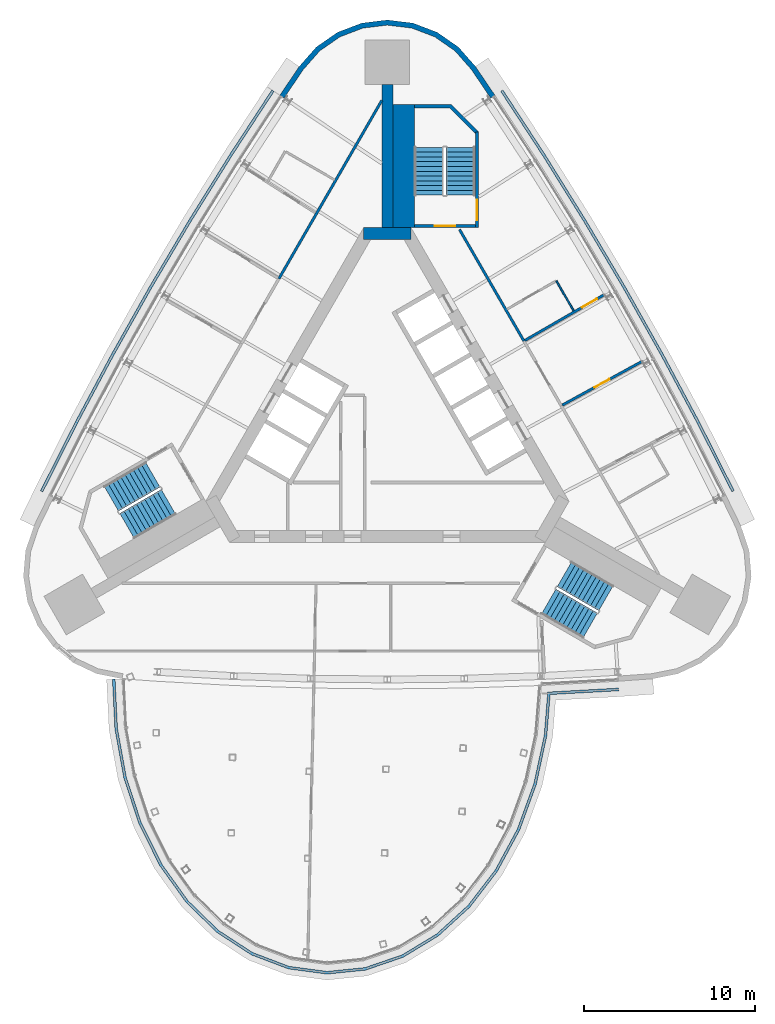
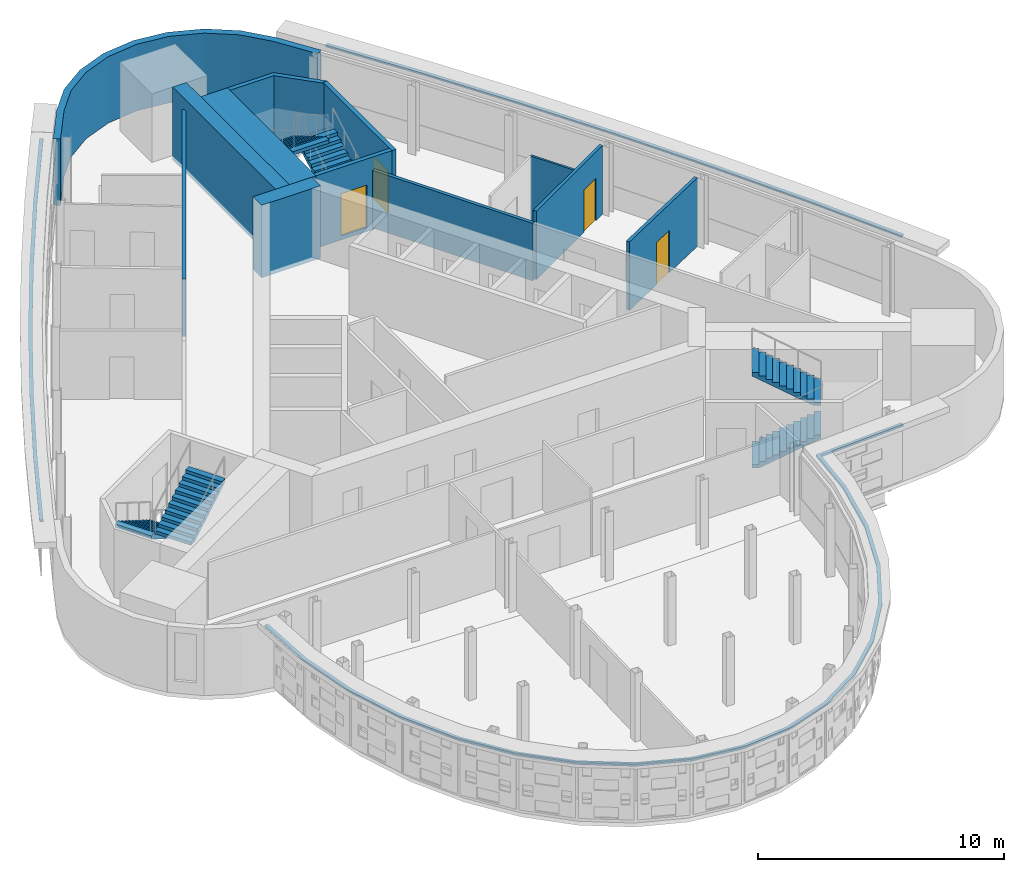
# One storey, part 11 of 14: 12 walls, 6 stair flights, 4 doors, 3 discrete accessories, 4 openings, 3 elements without a shape of their own.
"""IFC4 building model written with IfcOpenShell, lengths in metres."""

import ifcopenshell
import ifcopenshell.guid

model = None  # the IFC model being written
_history = None  # IfcOwnerHistory: only IFC2X3 demands one
_inside = {}  # id of a spatial element -> (the spatial element, [elements in it])
_under = {}  # id of a project, library or spatial element -> (it, [spatial elements below it])
_declared = {}  # id of a project -> (the project, [libraries it declares])
_typed = {}  # id of a type object -> (the type object, [elements of that type])
_made_of = {}  # id of a material, layer set ... -> (it, [elements and type objects made of it])


def new_model(schema):
    """Start an empty IFC model of exactly this schema.

    Asked for "IFC4X3", IfcOpenShell would pick the latest addendum, in which some entities
    have other attributes; the version numbers below select the first issue.
    IFC2X3 requires an IfcOwnerHistory on every rooted entity: one is made here for all.
    """
    global model, _history
    if schema == "IFC4X3":
        model = ifcopenshell.file(schema_version=(4, 3, 0, 0))
    else:
        model = ifcopenshell.file(schema=schema)
    _inside.clear()
    _under.clear()
    _declared.clear()
    _typed.clear()
    _made_of.clear()
    _history = None
    if model.schema == "IFC2X3":
        org = make("IfcOrganization", Name="unknown")
        user = make(
            "IfcPersonAndOrganization",
            ThePerson=make("IfcPerson", FamilyName="unknown"),
            TheOrganization=org,
        )
        app = make(
            "IfcApplication",
            ApplicationDeveloper=org,
            Version="unknown",
            ApplicationFullName="unknown",
            ApplicationIdentifier="unknown",
        )
        _history = make(
            "IfcOwnerHistory",
            OwningUser=user,
            OwningApplication=app,
            ChangeAction="ADDED",
            CreationDate=0,
        )
    return model


def make(cls, **values):
    """One entity of the class cls with the attributes given. An attribute that is None is left unset."""
    return model.create_entity(
        cls, **{name: value for name, value in values.items() if value is not None}
    )


def rooted(cls, **values):
    """An entity with a GlobalId (a new one), such as an element, a storey or a relation."""
    return make(cls, GlobalId=ifcopenshell.guid.new(), OwnerHistory=_history, **values)


def si_unit(unit_type, name, prefix=None):
    """IfcSIUnit, for example si_unit("LENGTHUNIT", "METRE", prefix="MILLI")."""
    return make("IfcSIUnit", UnitType=unit_type, Prefix=prefix, Name=name)


def assignment(units):
    """IfcUnitAssignment: the units of a project."""
    return None if units is None else make("IfcUnitAssignment", Units=units)


def point(xyz):
    """IfcCartesianPoint."""
    return None if xyz is None else make("IfcCartesianPoint", Coordinates=xyz)


def direction(xyz):
    """IfcDirection."""
    return None if xyz is None else make("IfcDirection", DirectionRatios=xyz)


def frame(location, z_axis=None, x_axis=None):
    """IfcAxis2Placement3D, a coordinate frame: its origin and axes. An axis left out is left unset."""
    return make(
        "IfcAxis2Placement3D",
        Location=point(location),
        Axis=direction(z_axis),
        RefDirection=direction(x_axis),
    )


def frame_2d(location, x_axis=None):
    """IfcAxis2Placement2D, a coordinate frame in the plane: its origin and x axis."""
    return make(
        "IfcAxis2Placement2D", Location=point(location), RefDirection=direction(x_axis)
    )


def origin():
    """The frame at (0, 0, 0) with its axes left unset."""
    return frame((0.0, 0.0, 0.0))


def place(relative_to, where):
    """IfcLocalPlacement: puts the frame where relative to a parent placement (None: the world)."""
    return make(
        "IfcLocalPlacement", PlacementRelTo=relative_to, RelativePlacement=where
    )


def context(
    kind, dimensions, precision=None, world=None, true_north=None, identifier=None
):
    """IfcGeometricRepresentationContext, for example the 3D "Model" context."""
    return make(
        "IfcGeometricRepresentationContext",
        ContextIdentifier=identifier,
        ContextType=kind,
        CoordinateSpaceDimension=dimensions,
        Precision=precision,
        WorldCoordinateSystem=world,
        TrueNorth=true_north,
    )


def subcontext(parent, identifier, kind, view, scale=None):
    """IfcGeometricRepresentationSubContext, for example "Body" below "Model"."""
    return make(
        "IfcGeometricRepresentationSubContext",
        ContextIdentifier=identifier,
        ContextType=kind,
        ParentContext=parent,
        TargetScale=scale,
        TargetView=view,
    )


def project(units=None, contexts=None):
    """IfcProject with its units and contexts."""
    return rooted(
        "IfcProject",
        Name="project",
        RepresentationContexts=contexts,
        UnitsInContext=assignment(units),
    )


def spatial(cls, under=None, at=None, **own):
    """A site, building, storey or space (cls), placed at a placement, below another one or the project."""
    s = rooted(cls, ObjectPlacement=at, **own)
    if under is not None:
        _under.setdefault(under.id(), (under, []))[1].append(s)
    return s


def polyline(points):
    """IfcPolyline through the points."""
    return make("IfcPolyline", Points=[point(p) for p in points])


def profile(cls, at=None, kind="AREA", **sizes):
    """A parametric profile (cls). Its sizes go by their IFC names, for example OverallWidth=200.0."""
    return make(cls, ProfileType=kind, Position=at, **sizes)


def rectangle(**sizes):
    """IfcRectangleProfileDef."""
    return profile("IfcRectangleProfileDef", **sizes)


def outline(outer, holes=None, kind="AREA"):
    """IfcArbitraryClosedProfileDef: a profile drawn as a closed curve; with holes, ...WithVoids."""
    if holes is None:
        return make("IfcArbitraryClosedProfileDef", ProfileType=kind, OuterCurve=outer)
    return make(
        "IfcArbitraryProfileDefWithVoids",
        ProfileType=kind,
        OuterCurve=outer,
        InnerCurves=holes,
    )


def extrude(swept, where, along, depth):
    """IfcExtrudedAreaSolid: the profile swept, set in the frame where, extruded along a direction by depth."""
    return make(
        "IfcExtrudedAreaSolid",
        SweptArea=swept,
        Position=where,
        ExtrudedDirection=direction(along),
        Depth=depth,
    )


def shape(context_of_items, identifier, shape_type, items):
    """IfcShapeRepresentation: the items that make up one representation, for example the "Body"."""
    return make(
        "IfcShapeRepresentation",
        ContextOfItems=context_of_items,
        RepresentationIdentifier=identifier,
        RepresentationType=shape_type,
        Items=items,
    )


def material(Name=None, Category=None):
    """IfcMaterial."""
    return make("IfcMaterial", Name=Name, Category=Category)


def layer(
    of_material, thickness, ventilated=None, Name=None, Category=None, Priority=None
):
    """IfcMaterialLayer: one layer of a wall or slab, of a material (None: an air gap)."""
    return make(
        "IfcMaterialLayer",
        Material=of_material,
        LayerThickness=thickness,
        IsVentilated=ventilated,
        Name=Name,
        Category=Category,
        Priority=Priority,
    )


def layer_set(layers, Name=None):
    """IfcMaterialLayerSet."""
    return make("IfcMaterialLayerSet", MaterialLayers=layers, LayerSetName=Name)


def made_of(thing, what):
    """Note that an element or type object is made of a material, layer set ...; save() writes the relation."""
    if what is not None:
        _made_of.setdefault(what.id(), (what, []))[1].append(thing)
    return thing


def type_object(cls, material=None, **own):
    """A type object (cls), such as IfcWallType, which elements share."""
    return made_of(rooted(cls, **own), material)


def element(
    cls,
    number,
    at=None,
    inside=None,
    cuts=None,
    type_object=None,
    material=None,
    context=None,
    identifier="Body",
    shape_type=None,
    held_by="IfcProductDefinitionShape",
    body=None,
    shapes=None,
    **own,
):
    """One element of the class cls, such as IfcWall. Its Tag is "e" and its number.

    at: its placement. inside: the storey or other place that contains it. cuts: it is an
    opening in that element (IfcRelVoidsElement). A single representation is given by context,
    identifier, shape_type and body (its items); several are given by shapes. held_by: the class
    of the entity that holds the representations. save() writes the other relations.
    """
    e = rooted(cls, Tag="e%d" % number, ObjectPlacement=at, **own)
    if body is not None:
        shapes = [shape(context, identifier, shape_type, body)]
    if shapes is not None:
        e.Representation = make(held_by, Representations=shapes)
    if inside is not None:
        _inside.setdefault(inside.id(), (inside, []))[1].append(e)
    if cuts is not None:
        rooted(
            "IfcRelVoidsElement", RelatingBuildingElement=cuts, RelatedOpeningElement=e
        )
    if type_object is not None:
        _typed.setdefault(type_object.id(), (type_object, []))[1].append(e)
    return made_of(e, material)


def fill(opening, filler):
    """IfcRelFillsElement: the door or window that sits in an opening."""
    return rooted(
        "IfcRelFillsElement",
        RelatingOpeningElement=opening,
        RelatedBuildingElement=filler,
    )


def aggregate(whole, parts):
    """IfcRelAggregates: a whole, such as a stair, and the parts it consists of."""
    return rooted("IfcRelAggregates", RelatingObject=whole, RelatedObjects=parts)


def save(model, path):
    """Write the relations noted so far, then the file.

    IfcRelAggregates (storeys below a building ...), IfcRelContainedInSpatialStructure (elements
    in a storey), IfcRelDefinesByType, IfcRelAssociatesMaterial and IfcRelDeclares: one each for
    every whole, place, type object, material and project.
    """
    for whole, parts in _under.values():
        aggregate(whole, parts)
    for where, things in _inside.values():
        rooted(
            "IfcRelContainedInSpatialStructure",
            RelatedElements=things,
            RelatingStructure=where,
        )
    for kind, things in _typed.values():
        rooted("IfcRelDefinesByType", RelatedObjects=things, RelatingType=kind)
    for what, things in _made_of.values():
        rooted("IfcRelAssociatesMaterial", RelatedObjects=things, RelatingMaterial=what)
    for by, libraries in _declared.values():
        rooted("IfcRelDeclares", RelatingContext=by, RelatedDefinitions=libraries)
    model.write(path)


model = new_model("IFC4")

# Units and contexts
model_context = context("Model", 3, precision=1e-05, world=origin(), true_north=direction((0.0, 1.0)))
body_context = subcontext(model_context, "Body", "Model", "MODEL_VIEW")
ifc_project = project(units=[si_unit("LENGTHUNIT", "METRE"), si_unit("AREAUNIT", "SQUARE_METRE"), si_unit("VOLUMEUNIT", "CUBIC_METRE"), si_unit("PLANEANGLEUNIT", "RADIAN"), si_unit("MASSUNIT", "GRAM", prefix="KILO")], contexts=[model_context])

# Site, building, storey
site_placement = place(None, origin())
site = spatial("IfcSite", under=ifc_project, at=site_placement, CompositionType="ELEMENT")
building_placement = place(site_placement, origin())
building = spatial("IfcBuilding", under=site, at=building_placement, Name="Noor Cloister Tower", CompositionType="ELEMENT")
storey_placement = place(building_placement, frame((0.0, 0.0, 214.800048828125)))
storey = spatial("IfcBuildingStorey", under=building, at=storey_placement, Name="L55", CompositionType="ELEMENT", Elevation=214.800048828125)

# Walls
ifc_material_1 = material(Name="Concrete C60/75", Category="concrete")
ifc_layer_1 = layer(ifc_material_1, 0.64990234375)
ifc_layer_set_1 = layer_set([ifc_layer_1], Name="Buttress wall 650 C60/75")
wall_type_1 = type_object("IfcWallType", Name="Buttress wall 650 C60/75", PredefinedType="SHEAR", material=ifc_layer_set_1)
wall_1_placement = place(storey_placement, frame((0.0, 11.456298828125, -0.199951171875), z_axis=(0.0, 0.0, 1.0), x_axis=(0.0, 1.0, 0.0)))
element("IfcWall", 1, at=wall_1_placement, inside=storey, type_object=wall_type_1, Name="Buttress wall N L55", PredefinedType="SHEAR", context=body_context, shape_type="SweptSolid", body=[
    extrude(rectangle(XDim=8.358642578125, YDim=0.64990234375, at=frame_2d((4.17919921875, 0.0))), origin(), (0.0, 0.0, 1.0), 3.599853515625),
])
ifc_material_2 = material(Name="Concrete C60/75", Category="concrete")
ifc_layer_2 = layer(ifc_material_2, 0.699951171875)
ifc_layer_set_2 = layer_set([ifc_layer_2], Name="Core wall 700 C60/75")
wall_type_2 = type_object("IfcWallType", Name="Core wall 700 C60/75", PredefinedType="SHEAR", material=ifc_layer_set_2)
wall_2_placement = place(storey_placement, frame((1.3857421875, 11.1064453125, -0.199951171875), z_axis=(0.0, 0.0, 1.0), x_axis=(-1.0, 0.0, 0.0)))
element("IfcWall", 2, at=wall_2_placement, inside=storey, type_object=wall_type_2, Name="Core wall L55 4", PredefinedType="SHEAR", context=body_context, shape_type="SweptSolid", body=[
    extrude(rectangle(XDim=2.771484375, YDim=0.699951171875, at=frame_2d((1.3857421875, 0.0))), origin(), (0.0, 0.0, 1.0), 3.599853515625),
])
ifc_material_3 = material(Name="Fire-rated gypsum board partition on steel studs, 150 mm", Category="steel")
ifc_layer_3 = layer(ifc_material_3, 0.14990234375)
ifc_layer_set_3 = layer_set([ifc_layer_3], Name="Fire lobby wall 150")
wall_type_3 = type_object("IfcWallType", Name="Fire lobby wall 150", PredefinedType="PARTITIONING", material=ifc_layer_set_3)
wall_3_placement = place(storey_placement, frame((-0.324951171875, 18.8935546875, 0.0), z_axis=(0.0, 0.0, 1.0), x_axis=(-0.50000126085, -0.866024675831, 0.0)))
element("IfcWall", 3, at=wall_3_placement, inside=storey, type_object=wall_type_3, Name="Wall L55-W18", PredefinedType="PARTITIONING", context=body_context, shape_type="SweptSolid", body=[
    extrude(rectangle(XDim=12.02685546875, YDim=0.14990234375, at=frame_2d((6.013427734375, 0.0))), origin(), (0.0, 0.0, 1.0), 2.85205078125),
])
ifc_material_4 = material(Name="Gypsum board partition on steel studs, 150 mm", Category="steel")
ifc_layer_4 = layer(ifc_material_4, 0.14990234375)
ifc_layer_set_4 = layer_set([ifc_layer_4], Name="Flat wall 150")
wall_type_4 = type_object("IfcWallType", Name="Flat wall 150", PredefinedType="PARTITIONING", material=ifc_layer_set_4)
wall_4_placement = place(storey_placement, frame((7.978515625, 4.83740234375, 0.0), z_axis=(0.0, 0.0, 1.0), x_axis=(-0.500014427086, 0.866017074142, 0.0)))
element("IfcWall", 4, at=wall_4_placement, inside=storey, type_object=wall_type_4, Name="Wall L55-W02", PredefinedType="PARTITIONING", context=body_context, shape_type="SweptSolid", body=[
    extrude(rectangle(XDim=7.527587890625, YDim=0.14990234375, at=frame_2d((3.763671875, 0.0))), origin(), (0.0, 0.0, 1.0), 2.85205078125),
])

# Wall, opening, door
wall_5_placement = place(storey_placement, frame((14.909912109375, 3.661376953125, 0.0), z_axis=(0.0, 0.0, 1.0), x_axis=(-0.87687518663, -0.480718116023, 0.0)))
wall_5 = element("IfcWall", 5, at=wall_5_placement, inside=storey, type_object=wall_type_4, Name="Wall L55-W03", PredefinedType="PARTITIONING", context=body_context, shape_type="SweptSolid", body=[
    extrude(rectangle(XDim=5.34130859375, YDim=0.14990234375, at=frame_2d((2.670654296875, 0.0))), origin(), (0.0, 0.0, 1.0), 3.39990234375),
])
opening_1_placement = place(wall_5_placement, frame((2.2080078125, 0.0, 0.0)))
opening_1 = element("IfcOpeningElement", 6, at=opening_1_placement, cuts=wall_5, Name="Opening L55-004", PredefinedType="OPENING", context=body_context, shape_type="SweptSolid", body=[
    extrude(rectangle(XDim=1.0, YDim=2.10009765625, at=frame_2d((0.5, 1.050048828125))), frame((0.0, 0.0849609375, 0.0), z_axis=(0.0, -1.0, 0.0), x_axis=(1.0, 0.0, 0.0)), (0.0, 0.0, 1.0), 0.169921875),
])
ifc_material_5 = material(Name="Timber door leaf with steel frame", Category="steel")
door_type_1 = type_object("IfcDoorType", Name="Flat entrance door 1000", OperationType="NOTDEFINED", PredefinedType="DOOR", material=ifc_material_5)
door_1_placement = place(opening_1_placement, origin())
door_1 = element("IfcDoor", 7, at=door_1_placement, inside=storey, type_object=door_type_1, Name="Door L55-004", OperationType="SINGLE_SWING_RIGHT", OverallHeight=2.10009765625, OverallWidth=1.0, PredefinedType="DOOR", context=body_context, shape_type="SweptSolid", body=[
    extrude(rectangle(XDim=1.0, YDim=2.10009765625, at=frame_2d((0.5, 1.050048828125))), frame((0.0, 0.02490234375, 0.0), z_axis=(0.0, -1.0, 0.0), x_axis=(1.0, 0.0, 0.0)), (0.0, 0.0, 1.0), 0.050048828125),
])
fill(opening_1, door_1)

wall_6_placement = place(storey_placement, frame((12.70703125, 7.5673828125, 0.0), z_axis=(0.0, 0.0, 1.0), x_axis=(-0.866016468327, -0.500015476347, 0.0)))
wall_6 = element("IfcWall", 8, at=wall_6_placement, inside=storey, type_object=wall_type_4, Name="Wall L55-W04", PredefinedType="PARTITIONING", context=body_context, shape_type="SweptSolid", body=[
    extrude(rectangle(XDim=5.385009765625, YDim=0.14990234375, at=frame_2d((2.6923828125, 0.0))), origin(), (0.0, 0.0, 1.0), 3.39990234375),
])
opening_2_placement = place(wall_6_placement, frame((0.530029296875, 0.0, 0.0)))
opening_2 = element("IfcOpeningElement", 9, at=opening_2_placement, cuts=wall_6, Name="Opening L55-006", PredefinedType="OPENING", context=body_context, shape_type="SweptSolid", body=[
    extrude(rectangle(XDim=1.0, YDim=2.10009765625, at=frame_2d((0.5, 1.050048828125))), frame((0.0, 0.0849609375, 0.0), z_axis=(0.0, -1.0, 0.0), x_axis=(1.0, 0.0, 0.0)), (0.0, 0.0, 1.0), 0.169921875),
])
door_2_placement = place(opening_2_placement, origin())
door_2 = element("IfcDoor", 10, at=door_2_placement, inside=storey, type_object=door_type_1, Name="Door L55-006", OperationType="SINGLE_SWING_RIGHT", OverallHeight=2.10009765625, OverallWidth=1.0, PredefinedType="DOOR", context=body_context, shape_type="SweptSolid", body=[
    extrude(rectangle(XDim=1.0, YDim=2.10009765625, at=frame_2d((0.5, 1.050048828125))), frame((0.0, 0.02490234375, 0.0), z_axis=(0.0, -1.0, 0.0), x_axis=(1.0, 0.0, 0.0)), (0.0, 0.0, 1.0), 0.050048828125),
])
fill(opening_2, door_2)

# Walls
ifc_material_6 = material(Name="Limestone", Category="masonry")
ifc_layer_5 = layer(ifc_material_6, 0.300048828125)
ifc_layer_set_5 = layer_set([ifc_layer_5], Name="Limestone cladding 300")
wall_type_5 = type_object("IfcWallType", Name="Limestone cladding 300", PredefinedType="NOTDEFINED", material=ifc_layer_set_5)
wall_7_placement = place(storey_placement, origin())
element("IfcWall", 11, at=wall_7_placement, inside=storey, type_object=wall_type_5, Name="Limestone pier cladding L55 3.1", PredefinedType="NOTDEFINED", context=body_context, shape_type="SweptSolid", body=[
    extrude(outline(polyline([(6.2822265625, 19.2041015625), (5.148681640625, 20.87890625), (4.1513671875, 22.012939453125), (2.91064453125, 22.874267578125), (1.499267578125, 23.412109375), (0.0, 23.5947265625), (-1.499267578125, 23.412109375), (-2.91064453125, 22.874267578125), (-4.1513671875, 22.012939453125), (-5.148681640625, 20.87890625), (-6.2822265625, 19.2041015625), (-6.03369140625, 19.035888671875), (-4.910888671875, 20.69482421875), (-3.9501953125, 21.787353515625), (-2.76953125, 22.60693359375), (-1.426513671875, 23.11865234375), (0.0, 23.292724609375), (1.426513671875, 23.11865234375), (2.76953125, 22.60693359375), (3.9501953125, 21.787353515625), (4.910888671875, 20.69482421875), (6.03369140625, 19.035888671875), (6.2822265625, 19.2041015625)])), origin(), (0.0, 0.0, 1.0), 3.300048828125),
])
ifc_material_7 = material(Name="Gypsum board partition on steel studs, 100 mm", Category="steel")
ifc_layer_6 = layer(ifc_material_7, 0.10009765625)
ifc_layer_set_6 = layer_set([ifc_layer_6], Name="Partition 100")
wall_type_6 = type_object("IfcWallType", Name="Partition 100", PredefinedType="PARTITIONING", material=ifc_layer_set_6)
wall_8_placement = place(storey_placement, frame((10.885498046875, 6.602294921875, 0.0), z_axis=(0.0, 0.0, 1.0), x_axis=(-0.499990325971, 0.866030989016, 0.0)))
element("IfcWall", 12, at=wall_8_placement, inside=storey, type_object=wall_type_6, Name="Wall L55-W09", PredefinedType="PARTITIONING", context=body_context, shape_type="SweptSolid", body=[
    extrude(rectangle(XDim=2.02490234375, YDim=0.10009765625, at=frame_2d((1.012451171875, 0.0))), origin(), (0.0, 0.0, 1.0), 3.39990234375),
])
ifc_material_8 = material(Name="Concrete C60/75", Category="concrete")
ifc_layer_7 = layer(ifc_material_8, 1.260986328125)
ifc_layer_set_7 = layer_set([ifc_layer_7], Name="Stair enclosure wall 1261 C60/75")
wall_type_7 = type_object("IfcWallType", Name="Stair enclosure wall 1261 C60/75", PredefinedType="SHEAR", material=ifc_layer_set_7)
wall_9_placement = place(storey_placement, frame((0.955322265625, 11.456298828125, -0.199951171875), z_axis=(0.0, 0.0, 1.0), x_axis=(0.0, 1.0, 0.0)))
element("IfcWall", 13, at=wall_9_placement, inside=storey, type_object=wall_type_7, Name="Stair enclosure wall ST1 L55 riser side", PredefinedType="SHEAR", context=body_context, shape_type="SweptSolid", body=[
    extrude(rectangle(XDim=7.2001953125, YDim=1.2607421875, at=frame_2d((3.60009765625, 0.0))), origin(), (0.0, 0.0, 1.0), 3.599853515625),
])

# Wall, opening, door
ifc_material_9 = material(Name="Concrete C60/75", Category="concrete")
ifc_layer_8 = layer(ifc_material_9, 0.199951171875)
ifc_layer_set_8 = layer_set([ifc_layer_8], Name="Stair enclosure wall 200 C60/75")
wall_type_8 = type_object("IfcWallType", Name="Stair enclosure wall 200 C60/75", PredefinedType="SHEAR", material=ifc_layer_set_8)
wall_10_placement = place(storey_placement, frame((5.135498046875, 11.556396484375, -0.199951171875), z_axis=(0.0, 0.0, 1.0), x_axis=(-1.0, 0.0, 0.0)))
wall_10 = element("IfcWall", 14, at=wall_10_placement, inside=storey, type_object=wall_type_8, Name="Stair enclosure wall ST1 L55 near end", PredefinedType="SHEAR", context=body_context, shape_type="SweptSolid", body=[
    extrude(rectangle(XDim=3.5498046875, YDim=0.199951171875, at=frame_2d((1.77490234375, 0.0))), origin(), (0.0, 0.0, 1.0), 3.599853515625),
])
opening_3_placement = place(wall_10_placement, frame((1.175048828125, 0.0, 0.199951171875)))
opening_3 = element("IfcOpeningElement", 15, at=opening_3_placement, cuts=wall_10, Name="Opening L55-ST1L", PredefinedType="OPENING", context=body_context, shape_type="SweptSolid", body=[
    extrude(rectangle(XDim=1.199951171875, YDim=2.10009765625, at=frame_2d((0.60009765625, 1.050048828125))), frame((0.0, 0.10986328125, 0.0), z_axis=(0.0, -1.0, 0.0), x_axis=(1.0, 0.0, 0.0)), (0.0, 0.0, 1.0), 0.219970703125),
])
ifc_material_10 = material(Name="Steel", Category="steel")
door_type_2 = type_object("IfcDoorType", Name="Stair door 1200 x 2100 FD120", OperationType="SINGLE_SWING_LEFT", PredefinedType="DOOR", material=ifc_material_10)
door_3_placement = place(opening_3_placement, origin())
door_3 = element("IfcDoor", 16, at=door_3_placement, inside=storey, type_object=door_type_2, Name="Stair door ST1 L55", OperationType="SINGLE_SWING_RIGHT", OverallHeight=2.10009765625, OverallWidth=1.199951171875, PredefinedType="DOOR", context=body_context, shape_type="SweptSolid", body=[
    extrude(rectangle(XDim=1.199951171875, YDim=2.10009765625, at=frame_2d((0.60009765625, 1.050048828125))), frame((0.0, 0.02490234375, 0.0), z_axis=(0.0, -1.0, 0.0), x_axis=(1.0, 0.0, 0.0)), (0.0, 0.0, 1.0), 0.050048828125),
])
fill(opening_3, door_3)

wall_11_placement = place(storey_placement, frame((5.235595703125, 11.456298828125, -0.199951171875), z_axis=(0.0, 0.0, 1.0), x_axis=(0.0, 1.0, 0.0)))
wall_11 = element("IfcWall", 17, at=wall_11_placement, inside=storey, type_object=wall_type_8, Name="Stair enclosure wall ST1 L55 outer side", PredefinedType="SHEAR", context=body_context, shape_type="SweptSolid", body=[
    extrude(rectangle(XDim=5.60009765625, YDim=0.199951171875, at=frame_2d((2.800048828125, 0.0))), origin(), (0.0, 0.0, 1.0), 3.599853515625),
])
opening_4_placement = place(wall_11_placement, frame((0.449951171875, 0.0, 0.199951171875)))
opening_4 = element("IfcOpeningElement", 18, at=opening_4_placement, cuts=wall_11, Name="Opening L55-ST1C", PredefinedType="OPENING", context=body_context, shape_type="SweptSolid", body=[
    extrude(rectangle(XDim=1.199951171875, YDim=2.10009765625, at=frame_2d((0.60009765625, 1.050048828125))), frame((0.0, 0.10986328125, 0.0), z_axis=(0.0, -1.0, 0.0), x_axis=(1.0, 0.0, 0.0)), (0.0, 0.0, 1.0), 0.219970703125),
])
door_4_placement = place(opening_4_placement, origin())
door_4 = element("IfcDoor", 19, at=door_4_placement, inside=storey, type_object=door_type_2, Name="Stair door ST1 L55", OperationType="SINGLE_SWING_LEFT", OverallHeight=2.10009765625, OverallWidth=1.199951171875, PredefinedType="DOOR", context=body_context, shape_type="SweptSolid", body=[
    extrude(rectangle(XDim=1.199951171875, YDim=2.10009765625, at=frame_2d((0.60009765625, 1.050048828125))), frame((0.0, 0.02490234375, 0.0), z_axis=(0.0, -1.0, 0.0), x_axis=(1.0, 0.0, 0.0)), (0.0, 0.0, 1.0), 0.050048828125),
])
fill(opening_4, door_4)

# Wall
ifc_material_11 = material(Name="Concrete C60/75", Category="concrete")
wall_type_9 = type_object("IfcWallType", Name="Stair far end wall C60/75", PredefinedType="SHEAR", material=ifc_material_11)
wall_12_placement = place(storey_placement, frame((0.0, 0.0, -0.199951171875)))
element("IfcWall", 20, at=wall_12_placement, inside=storey, type_object=wall_type_9, Name="Stair enclosure wall ST1 L55 far end", PredefinedType="SHEAR", context=body_context, shape_type="SweptSolid", body=[
    extrude(outline(polyline([(5.335693359375, 17.056396484375), (3.735595703125, 18.656494140625), (1.585693359375, 18.656494140625), (1.585693359375, 18.456298828125), (3.65283203125, 18.456298828125), (5.135498046875, 16.9736328125), (5.135498046875, 17.056396484375), (5.135498046875, 17.056396484375), (5.135498046875, 17.056396484375), (5.135498046875, 17.056396484375), (5.135498046875, 17.056396484375), (5.135498046875, 17.056396484375), (5.135498046875, 17.056396484375), (5.135498046875, 17.056396484375), (5.135498046875, 17.056396484375), (5.135498046875, 17.056396484375), (5.135498046875, 17.056396484375), (5.135498046875, 17.056396484375), (5.135498046875, 17.056396484375), (5.135498046875, 17.056396484375), (5.135498046875, 17.056396484375), (5.135498046875, 17.056396484375), (5.135498046875, 17.056396484375), (5.335693359375, 17.056396484375)])), origin(), (0.0, 0.0, 1.0), 3.599853515625),
])

# Stair, stair flights
ifc_material_12 = material(Name="Concrete C40/50", Category="concrete")
stair_type = type_object("IfcStairType", Name="Exit stair 22 risers", PredefinedType="HALF_TURN_STAIR", material=ifc_material_12)
stair_1_placement = place(storey_placement, origin())
stair_1 = element("IfcStair", 21, at=stair_1_placement, inside=storey, type_object=stair_type, Name="Exit stair ST1 L55", PredefinedType="HALF_TURN_STAIR")
ifc_material_13 = material(Name="Concrete C40/50", Category="concrete")
stair_flight_type = type_object("IfcStairFlightType", Name="Exit stair flight", PredefinedType="STRAIGHT", material=ifc_material_13)
stair_flight_1_placement = place(storey_placement, frame((4.28564453125, 13.3564453125, 0.0), z_axis=(0.0, 0.0, 1.0), x_axis=(0.0, 1.0, 0.0)))
stair_flight_1 = element("IfcStairFlight", 22, at=stair_flight_1_placement, type_object=stair_flight_type, Name="ST1 flight 1", NumberOfRisers=11, NumberOfTreads=10, PredefinedType="STRAIGHT", RiserHeight=0.163636364, TreadLength=0.28, context=body_context, shape_type="SweptSolid", body=[
    extrude(outline(polyline([(0.0, 0.0), (0.0, 0.16357421875), (0.280029296875, 0.16357421875), (0.280029296875, 0.327392578125), (0.56005859375, 0.327392578125), (0.56005859375, 0.490966796875), (0.840087890625, 0.490966796875), (0.840087890625, 0.654541015625), (1.1201171875, 0.654541015625), (1.1201171875, 0.818115234375), (1.39990234375, 0.818115234375), (1.39990234375, 0.98193359375), (1.679931640625, 0.98193359375), (1.679931640625, 1.1455078125), (1.9599609375, 1.1455078125), (1.9599609375, 1.30908203125), (2.239990234375, 1.30908203125), (2.239990234375, 1.47265625), (2.52001953125, 1.47265625), (2.52001953125, 1.636474609375), (2.800048828125, 1.636474609375), (2.800048828125, 1.800048828125), (2.800048828125, 1.462646484375), (0.297119140625, 0.0), (0.0, 0.0)])), frame((0.0, 0.85009765625, 0.0), z_axis=(0.0, -1.0, 0.0), x_axis=(1.0, 0.0, 0.0)), (0.0, 0.0, 1.0), 1.699951171875),
])
stair_flight_2_placement = place(storey_placement, frame((2.435546875, 16.156494140625, 1.800048828125), z_axis=(0.0, 0.0, 1.0), x_axis=(0.0, -1.0, 0.0)))
stair_flight_2 = element("IfcStairFlight", 23, at=stair_flight_2_placement, type_object=stair_flight_type, Name="ST1 flight 2", NumberOfRisers=11, NumberOfTreads=10, PredefinedType="STRAIGHT", RiserHeight=0.163636364, TreadLength=0.28, context=body_context, shape_type="SweptSolid", body=[
    extrude(outline(polyline([(0.0, 0.0), (0.0, 0.16357421875), (0.280029296875, 0.16357421875), (0.280029296875, 0.327392578125), (0.56005859375, 0.327392578125), (0.56005859375, 0.490966796875), (0.840087890625, 0.490966796875), (0.840087890625, 0.654541015625), (1.1201171875, 0.654541015625), (1.1201171875, 0.818115234375), (1.39990234375, 0.818115234375), (1.39990234375, 0.98193359375), (1.679931640625, 0.98193359375), (1.679931640625, 1.1455078125), (1.9599609375, 1.1455078125), (1.9599609375, 1.30908203125), (2.239990234375, 1.30908203125), (2.239990234375, 1.47265625), (2.52001953125, 1.47265625), (2.52001953125, 1.636474609375), (2.800048828125, 1.636474609375), (2.800048828125, 1.800048828125), (2.800048828125, 1.462646484375), (0.297119140625, 0.0), (0.0, 0.0)])), frame((0.0, 0.85009765625, 0.0), z_axis=(0.0, -1.0, 0.0), x_axis=(1.0, 0.0, 0.0)), (0.0, 0.0, 1.0), 1.699951171875),
])
aggregate(stair_1, [stair_flight_1, stair_flight_2])

stair_2_placement = place(storey_placement, origin())
stair_2 = element("IfcStair", 24, at=stair_2_placement, inside=storey, type_object=stair_type, Name="Exit stair ST2 L55", PredefinedType="HALF_TURN_STAIR")
stair_flight_3_placement = place(storey_placement, frame((-13.709716796875, -2.966796875, 0.0), z_axis=(0.0, 0.0, 1.0), x_axis=(-0.866025403784, -0.5, 0.0)))
stair_flight_3 = element("IfcStairFlight", 25, at=stair_flight_3_placement, type_object=stair_flight_type, Name="ST2 flight 1", NumberOfRisers=11, NumberOfTreads=10, PredefinedType="STRAIGHT", RiserHeight=0.163636364, TreadLength=0.28, context=body_context, shape_type="SweptSolid", body=[
    extrude(outline(polyline([(0.0, 0.0), (0.0, 0.16357421875), (0.280029296875, 0.16357421875), (0.280029296875, 0.327392578125), (0.56005859375, 0.327392578125), (0.56005859375, 0.490966796875), (0.840087890625, 0.490966796875), (0.840087890625, 0.654541015625), (1.1201171875, 0.654541015625), (1.1201171875, 0.818115234375), (1.39990234375, 0.818115234375), (1.39990234375, 0.98193359375), (1.679931640625, 0.98193359375), (1.679931640625, 1.1455078125), (1.9599609375, 1.1455078125), (1.9599609375, 1.30908203125), (2.239990234375, 1.30908203125), (2.239990234375, 1.47265625), (2.52001953125, 1.47265625), (2.52001953125, 1.636474609375), (2.800048828125, 1.636474609375), (2.800048828125, 1.800048828125), (2.800048828125, 1.462646484375), (0.297119140625, 0.0), (0.0, 0.0)])), frame((0.0, 0.85009765625, 0.0), z_axis=(0.0, -1.0, 0.0), x_axis=(1.0, 0.0, 0.0)), (0.0, 0.0, 1.0), 1.699951171875),
])
stair_flight_4_placement = place(storey_placement, frame((-15.209716796875, -5.968994140625, 1.800048828125), z_axis=(0.0, 0.0, 1.0), x_axis=(0.866025403784, 0.5, 0.0)))
stair_flight_4 = element("IfcStairFlight", 26, at=stair_flight_4_placement, type_object=stair_flight_type, Name="ST2 flight 2", NumberOfRisers=11, NumberOfTreads=10, PredefinedType="STRAIGHT", RiserHeight=0.163636364, TreadLength=0.28, context=body_context, shape_type="SweptSolid", body=[
    extrude(outline(polyline([(0.0, 0.0), (0.0, 0.16357421875), (0.280029296875, 0.16357421875), (0.280029296875, 0.327392578125), (0.56005859375, 0.327392578125), (0.56005859375, 0.490966796875), (0.840087890625, 0.490966796875), (0.840087890625, 0.654541015625), (1.1201171875, 0.654541015625), (1.1201171875, 0.818115234375), (1.39990234375, 0.818115234375), (1.39990234375, 0.98193359375), (1.679931640625, 0.98193359375), (1.679931640625, 1.1455078125), (1.9599609375, 1.1455078125), (1.9599609375, 1.30908203125), (2.239990234375, 1.30908203125), (2.239990234375, 1.47265625), (2.52001953125, 1.47265625), (2.52001953125, 1.636474609375), (2.800048828125, 1.636474609375), (2.800048828125, 1.800048828125), (2.800048828125, 1.462646484375), (0.297119140625, 0.0), (0.0, 0.0)])), frame((0.0, 0.85009765625, 0.0), z_axis=(0.0, -1.0, 0.0), x_axis=(1.0, 0.0, 0.0)), (0.0, 0.0, 1.0), 1.699951171875),
])
aggregate(stair_2, [stair_flight_3, stair_flight_4])

stair_3_placement = place(storey_placement, origin())
stair_3 = element("IfcStair", 27, at=stair_3_placement, inside=storey, type_object=stair_type, Name="Exit stair ST3 L55", PredefinedType="HALF_TURN_STAIR")
stair_flight_5_placement = place(storey_placement, frame((9.424072265625, -10.3896484375, 0.0), z_axis=(0.0, 0.0, 1.0), x_axis=(0.866025403784, -0.5, 0.0)))
stair_flight_5 = element("IfcStairFlight", 28, at=stair_flight_5_placement, type_object=stair_flight_type, Name="ST3 flight 1", NumberOfRisers=11, NumberOfTreads=10, PredefinedType="STRAIGHT", RiserHeight=0.163636364, TreadLength=0.28, context=body_context, shape_type="SweptSolid", body=[
    extrude(outline(polyline([(0.0, 0.0), (0.0, 0.16357421875), (0.280029296875, 0.16357421875), (0.280029296875, 0.327392578125), (0.56005859375, 0.327392578125), (0.56005859375, 0.490966796875), (0.840087890625, 0.490966796875), (0.840087890625, 0.654541015625), (1.1201171875, 0.654541015625), (1.1201171875, 0.818115234375), (1.39990234375, 0.818115234375), (1.39990234375, 0.98193359375), (1.679931640625, 0.98193359375), (1.679931640625, 1.1455078125), (1.9599609375, 1.1455078125), (1.9599609375, 1.30908203125), (2.239990234375, 1.30908203125), (2.239990234375, 1.47265625), (2.52001953125, 1.47265625), (2.52001953125, 1.636474609375), (2.800048828125, 1.636474609375), (2.800048828125, 1.800048828125), (2.800048828125, 1.462646484375), (0.297119140625, 0.0), (0.0, 0.0)])), frame((0.0, 0.85009765625, 0.0), z_axis=(0.0, -1.0, 0.0), x_axis=(1.0, 0.0, 0.0)), (0.0, 0.0, 1.0), 1.699951171875),
])
stair_flight_6_placement = place(storey_placement, frame((12.77392578125, -10.1875, 1.800048828125), z_axis=(0.0, 0.0, 1.0), x_axis=(-0.866025403784, 0.5, 0.0)))
stair_flight_6 = element("IfcStairFlight", 29, at=stair_flight_6_placement, type_object=stair_flight_type, Name="ST3 flight 2", NumberOfRisers=11, NumberOfTreads=10, PredefinedType="STRAIGHT", RiserHeight=0.163636364, TreadLength=0.28, context=body_context, shape_type="SweptSolid", body=[
    extrude(outline(polyline([(0.0, 0.0), (0.0, 0.16357421875), (0.280029296875, 0.16357421875), (0.280029296875, 0.327392578125), (0.56005859375, 0.327392578125), (0.56005859375, 0.490966796875), (0.840087890625, 0.490966796875), (0.840087890625, 0.654541015625), (1.1201171875, 0.654541015625), (1.1201171875, 0.818115234375), (1.39990234375, 0.818115234375), (1.39990234375, 0.98193359375), (1.679931640625, 0.98193359375), (1.679931640625, 1.1455078125), (1.9599609375, 1.1455078125), (1.9599609375, 1.30908203125), (2.239990234375, 1.30908203125), (2.239990234375, 1.47265625), (2.52001953125, 1.47265625), (2.52001953125, 1.636474609375), (2.800048828125, 1.636474609375), (2.800048828125, 1.800048828125), (2.800048828125, 1.462646484375), (0.297119140625, 0.0), (0.0, 0.0)])), frame((0.0, 0.85009765625, 0.0), z_axis=(0.0, -1.0, 0.0), x_axis=(1.0, 0.0, 0.0)), (0.0, 0.0, 1.0), 1.699951171875),
])
aggregate(stair_3, [stair_flight_5, stair_flight_6])

# Discrete accessories
ifc_material_14 = material(Name="Stainless steel grade 316", Category="steel")
discrete_accessory_type = type_object("IfcDiscreteAccessoryType", Name="Stainless hanger rail", PredefinedType="BRACKET", material=ifc_material_14)
discrete_accessory_1_placement = place(storey_placement, frame((0.0, 0.0, 3.199951171875)))
element("IfcDiscreteAccessory", 30, at=discrete_accessory_1_placement, inside=storey, type_object=discrete_accessory_type, Name="Hanger rail L55", PredefinedType="BRACKET", context=body_context, shape_type="SweptSolid", body=[
    extrude(outline(polyline([(-6.7509765625, 19.510498046875), (-9.21630859375, 15.738525390625), (-11.600830078125, 11.90771484375), (-13.900146484375, 8.025146484375), (-16.113037109375, 4.0927734375), (-18.238037109375, 0.1123046875), (-20.27197265625, -3.90869140625), (-20.129150390625, -3.98095703125), (-18.09619140625, 0.03857421875), (-15.97265625, 4.015869140625), (-13.761474609375, 7.9453125), (-11.464111328125, 11.82470703125), (-9.081298828125, 15.652587890625), (-6.616943359375, 19.4228515625), (-6.7509765625, 19.510498046875)])), origin(), (0.0, 0.0, 1.0), 0.10009765625),
])
discrete_accessory_2_placement = place(storey_placement, frame((0.0, 0.0, 3.199951171875)))
element("IfcDiscreteAccessory", 31, at=discrete_accessory_2_placement, inside=storey, type_object=discrete_accessory_type, Name="Hanger rail L55", PredefinedType="BRACKET", context=body_context, shape_type="SweptSolid", body=[
    extrude(outline(polyline([(-16.066650390625, -14.925537109375), (-15.924560546875, -17.830322265625), (-15.40283203125, -20.69091796875), (-14.517333984375, -23.38720703125), (-13.291748046875, -25.839111328125), (-11.759521484375, -27.973388671875), (-9.961669921875, -29.7236328125), (-7.94921875, -31.03271484375), (-5.781494140625, -31.854248046875), (-3.52880859375, -32.156494140625), (-1.267578125, -31.9267578125), (0.92529296875, -31.175048828125), (2.978759765625, -29.93115234375), (4.831787109375, -28.239501953125), (6.431884765625, -26.155517578125), (7.7353515625, -23.744140625), (8.70703125, -21.07763671875), (9.320068359375, -18.235107421875), (9.515625, -15.823486328125), (13.52099609375, -15.6015625), (13.51220703125, -15.44189453125), (9.367431640625, -15.67138671875), (9.16162109375, -18.211669921875), (8.552978515625, -21.033203125), (7.589111328125, -23.678466796875), (6.297119140625, -26.068359375), (4.71337890625, -28.130859375), (2.882568359375, -29.802490234375), (0.857177734375, -31.029296875), (-1.302001953125, -31.76953125), (-3.526123046875, -31.995361328125), (-5.741943359375, -31.6982421875), (-7.876220703125, -30.88916015625), (-9.861328125, -29.59814453125), (-11.6376953125, -27.86865234375), (-13.154541015625, -25.75634765625), (-14.368896484375, -23.326171875), (-15.24755859375, -20.6513671875), (-15.765380859375, -17.81201171875), (-15.90673828125, -14.917724609375), (-16.066650390625, -14.925537109375)])), origin(), (0.0, 0.0, 1.0), 0.10009765625),
])
discrete_accessory_3_placement = place(storey_placement, frame((0.0, 0.0, 3.199951171875)))
element("IfcDiscreteAccessory", 32, at=discrete_accessory_3_placement, inside=storey, type_object=discrete_accessory_type, Name="Hanger rail L55", PredefinedType="BRACKET", context=body_context, shape_type="SweptSolid", body=[
    extrude(outline(polyline([(20.27197265625, -3.90869140625), (18.238037109375, 0.1123046875), (16.113037109375, 4.0927734375), (13.900146484375, 8.025146484375), (11.600830078125, 11.90771484375), (9.21630859375, 15.738525390625), (6.7509765625, 19.510498046875), (6.616943359375, 19.4228515625), (9.081298828125, 15.652587890625), (11.464111328125, 11.82470703125), (13.761474609375, 7.9453125), (15.97265625, 4.015869140625), (18.09619140625, 0.03857421875), (20.129150390625, -3.98095703125), (20.27197265625, -3.90869140625)])), origin(), (0.0, 0.0, 1.0), 0.10009765625),
])

save(model, "model.ifc")
